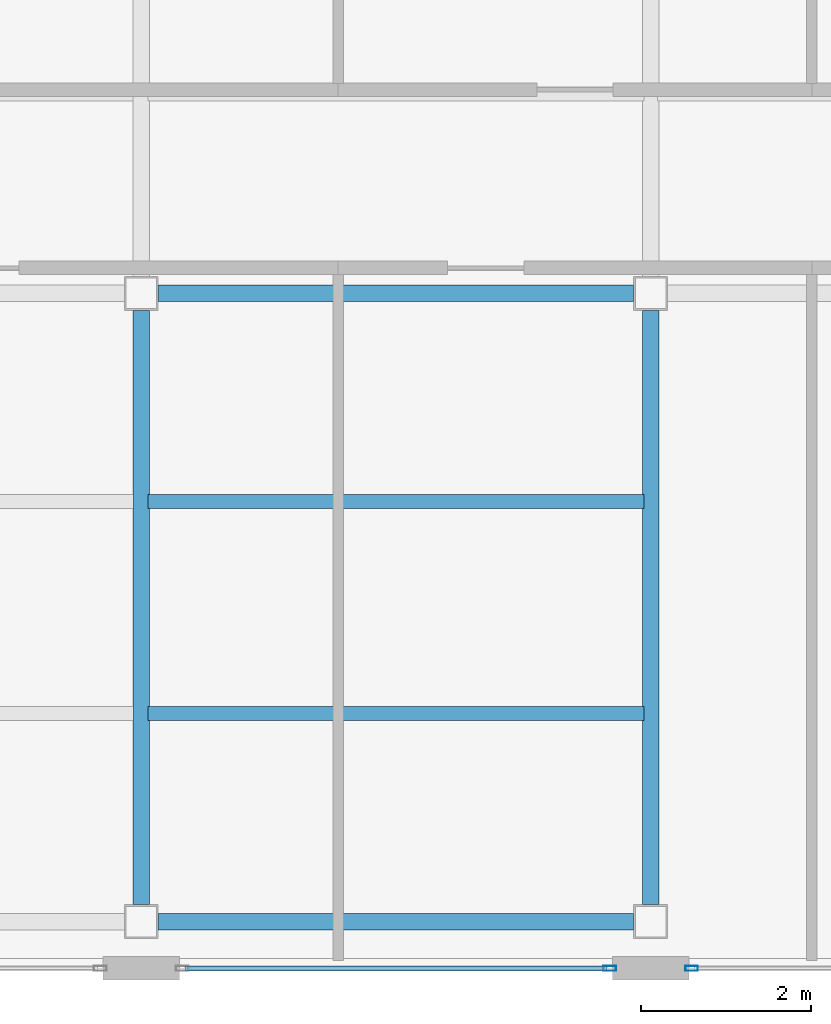
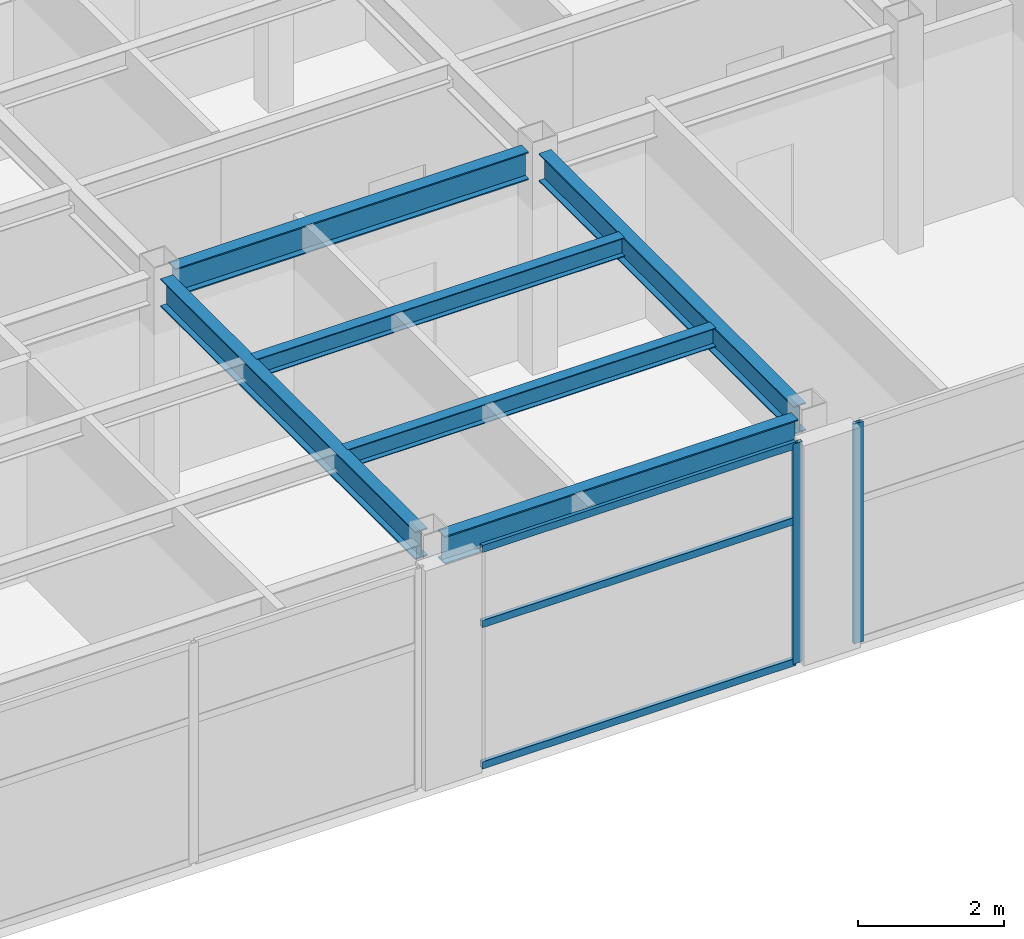
# One storey, part 5 of 15: 6 beams, 5 members, 2 elements without a shape of their own.
"""IFC4 building model written with IfcOpenShell, lengths in metres."""

from ifc_helpers import new_model, si_unit, direction, frame, origin, origin_2d, place, context, subcontext, project, spatial, hollow_rectangle, i_section, extrude, material, layer, layer_set, material_profile, profile_set, type_object, element, aggregate, save


model = new_model("IFC4")

# Units and contexts
model_context = context("Model", 3, precision=1e-05, world=origin(), true_north=direction((0.0, 1.0)))
body_context = subcontext(model_context, "Body", "Model", "MODEL_VIEW")
ifc_project = project(units=[si_unit("LENGTHUNIT", "METRE"), si_unit("AREAUNIT", "SQUARE_METRE"), si_unit("VOLUMEUNIT", "CUBIC_METRE"), si_unit("PLANEANGLEUNIT", "RADIAN"), si_unit("MASSUNIT", "GRAM", prefix="KILO")], contexts=[model_context])

# Site, building, storey
site_placement = place(None, origin())
site = spatial("IfcSite", under=ifc_project, at=site_placement, CompositionType="ELEMENT")
building_placement = place(site_placement, origin())
building = spatial("IfcBuilding", under=site, at=building_placement, Name="Mawjaban Terraces University", CompositionType="ELEMENT")
storey_placement = place(building_placement, frame((0.0, 0.0, 295.0)))
storey = spatial("IfcBuildingStorey", under=building, at=storey_placement, Name="L72", CompositionType="ELEMENT", Elevation=295.0)

# Beams
ifc_material_1 = material(Name="Steel ASTM A572 Grade 50", Category="steel")
ifc_material_profile_1 = material_profile(ifc_material_1, i_section(OverallWidth=0.194091796875, OverallDepth=0.468994140625, WebThickness=0.011474609375, FlangeThickness=0.0205078125, at=origin_2d()), Name="W460X106")
ifc_profile_set_1 = profile_set([ifc_material_profile_1], Name="Steel ASTM A572 Grade 50")
beam_type_1 = type_object("IfcBeamType", Name="Beam_B_W460X106", PredefinedType="BEAM", material=ifc_profile_set_1)
for number, where, z_axis, x_axis, name in (
    (1, (46.199951171875, 0.550048828125, 3.455078125), (1.0, 0.0, 0.0), (0.0, 1.0, 0.0), "L72 Beam BM-L72-EW-02"),
    (2, (46.199951171875, 7.949951171875, 3.455078125), (1.0, 0.0, 0.0), (0.0, 1.0, 0.0), "L72 Beam BM-L72-EW-04"),
):
    element("IfcBeam", number, at=place(storey_placement, frame(where, z_axis=z_axis, x_axis=x_axis)), inside=storey, type_object=beam_type_1, Name=name, PredefinedType="BEAM", context=body_context, shape_type="SweptSolid", body=[
        extrude(i_section(OverallWidth=0.194091796875, OverallDepth=0.468994140625, WebThickness=0.011474609375, FlangeThickness=0.0205078125, at=origin_2d()), origin(), (0.0, 0.0, 1.0), 5.60009765625),
    ])
for number, where, z_axis, x_axis, name in (
    (3, (46.0, 0.75, 3.455078125), (0.0, 1.0, 0.0), (-1.0, 0.0, 0.0), "L72 Beam BM-L72-NS-08"),
    (4, (52.0, 0.75, 3.455078125), (0.0, 1.0, 0.0), (-1.0, 0.0, 0.0), "L72 Beam BM-L72-NS-10"),
):
    element("IfcBeam", number, at=place(storey_placement, frame(where, z_axis=z_axis, x_axis=x_axis)), inside=storey, type_object=beam_type_1, Name=name, PredefinedType="BEAM", context=body_context, shape_type="SweptSolid", body=[
        extrude(i_section(OverallWidth=0.194091796875, OverallDepth=0.468994140625, WebThickness=0.011474609375, FlangeThickness=0.0205078125, at=origin_2d()), origin(), (0.0, 0.0, 1.0), 7.0),
    ])
ifc_material_profile_2 = material_profile(ifc_material_1, i_section(OverallWidth=0.1669921875, OverallDepth=0.318115234375, WebThickness=0.007568359375, FlangeThickness=0.01318359375, at=origin_2d()), Name="W310X52")
ifc_profile_set_2 = profile_set([ifc_material_profile_2], Name="Steel ASTM A572 Grade 50")
beam_type_2 = type_object("IfcBeamType", Name="Beam_J_W310X52", PredefinedType="JOIST", material=ifc_profile_set_2)
for number, where, z_axis, x_axis, name in (
    (5, (46.080078125, 3.0, 3.531005859375), (1.0, 0.0, 0.0), (0.0, 1.0, 0.0), "L72 Composite Joist JST-L72-02"),
    (6, (46.080078125, 5.5, 3.531005859375), (1.0, 0.0, 0.0), (0.0, 1.0, 0.0), "L72 Composite Joist JST-L72-04"),
):
    element("IfcBeam", number, at=place(storey_placement, frame(where, z_axis=z_axis, x_axis=x_axis)), inside=storey, type_object=beam_type_2, Name=name, PredefinedType="JOIST", context=body_context, shape_type="SweptSolid", body=[
        extrude(i_section(OverallWidth=0.1669921875, OverallDepth=0.318115234375, WebThickness=0.007568359375, FlangeThickness=0.01318359375, at=origin_2d()), origin(), (0.0, 0.0, 1.0), 5.83984375),
    ])

# Curtain wall, member
ifc_material_2 = material(Name="Anodised aluminium 6063-T6 and solar-control low-E glass", Category="aluminium")
ifc_layer = layer(ifc_material_2, 0.159912109375)
ifc_layer_set = layer_set([ifc_layer], Name="Anodised aluminium 6063-T6 and solar-control low-E glass")
curtain_wall_type = type_object("IfcCurtainWallType", Name="CWSystem_03_NorthWing", PredefinedType="NOTDEFINED", material=ifc_layer_set)
curtain_wall_1_placement = place(storey_placement, origin())
curtain_wall_1 = element("IfcCurtainWall", 7, at=curtain_wall_1_placement, inside=storey, type_object=curtain_wall_type, Name="L72 Curtain Wall CW-03 Run 1.4", PredefinedType="NOTDEFINED")
ifc_material_3 = material(Name="Anodised aluminium 6063-T6", Category="aluminium")
ifc_material_profile_3 = material_profile(ifc_material_3, hollow_rectangle(XDim=0.06005859375, YDim=0.14990234375, WallThickness=0.00390625, at=origin_2d()), Name="ALU150X60X4")
ifc_profile_set_3 = profile_set([ifc_material_profile_3], Name="Anodised aluminium 6063-T6")
member_type_1 = type_object("IfcMemberType", Name="Mullion_CW-03", PredefinedType="MULLION", material=ifc_profile_set_3)
member_1_placement = place(storey_placement, frame((51.517578125, 0.0, 0.0), z_axis=(0.0, 0.0, 1.0), x_axis=(0.0, 1.0, 0.0)))
member_1 = element("IfcMember", 8, at=member_1_placement, type_object=member_type_1, Name="CW-03 mullion 2", PredefinedType="MULLION", context=body_context, shape_type="SweptSolid", body=[
    extrude(hollow_rectangle(XDim=0.06005859375, YDim=0.14990234375, WallThickness=0.00390625, at=origin_2d()), origin(), (0.0, 0.0, 1.0), 3.68994140625),
])

curtain_wall_2_placement = place(storey_placement, origin())
curtain_wall_2 = element("IfcCurtainWall", 9, at=curtain_wall_2_placement, inside=storey, type_object=curtain_wall_type, Name="L72 Curtain Wall CW-03 Run 1.5", PredefinedType="NOTDEFINED")
member_2_placement = place(storey_placement, frame((52.482421875, 0.0, 0.0), z_axis=(0.0, 0.0, 1.0), x_axis=(0.0, 1.0, 0.0)))
member_2 = element("IfcMember", 10, at=member_2_placement, type_object=member_type_1, Name="CW-03 mullion 1", PredefinedType="MULLION", context=body_context, shape_type="SweptSolid", body=[
    extrude(hollow_rectangle(XDim=0.06005859375, YDim=0.14990234375, WallThickness=0.00390625, at=origin_2d()), origin(), (0.0, 0.0, 1.0), 3.68994140625),
])
aggregate(curtain_wall_2, [member_2])

# Member
ifc_material_profile_4 = material_profile(ifc_material_3, hollow_rectangle(XDim=0.06005859375, YDim=0.1201171875, WallThickness=0.00341796875, at=origin_2d()), Name="ALU120X60X3.5")
ifc_profile_set_4 = profile_set([ifc_material_profile_4], Name="Anodised aluminium 6063-T6")
member_type_2 = type_object("IfcMemberType", Name="Transom_CW-03", PredefinedType="NOTDEFINED", material=ifc_profile_set_4)
member_3_placement = place(storey_placement, frame((46.514892578125, 0.0, 0.030029296875), z_axis=(1.0, 0.0, 0.0), x_axis=(0.0, 1.0, 0.0)))
member_3 = element("IfcMember", 11, at=member_3_placement, type_object=member_type_2, Name="CW-03 transom 1.1", ObjectType="TRANSOM", PredefinedType="USERDEFINED", context=body_context, shape_type="SweptSolid", body=[
    extrude(hollow_rectangle(XDim=0.06005859375, YDim=0.1201171875, WallThickness=0.00341796875, at=origin_2d()), origin(), (0.0, 0.0, 1.0), 4.97021484375),
])

member_4_placement = place(storey_placement, frame((46.514892578125, 0.0, 2.39892578125), z_axis=(1.0, 0.0, 0.0), x_axis=(0.0, 1.0, 0.0)))
member_4 = element("IfcMember", 12, at=member_4_placement, type_object=member_type_2, Name="CW-03 transom 1.2", ObjectType="TRANSOM", PredefinedType="USERDEFINED", context=body_context, shape_type="SweptSolid", body=[
    extrude(hollow_rectangle(XDim=0.06005859375, YDim=0.1201171875, WallThickness=0.00341796875, at=origin_2d()), origin(), (0.0, 0.0, 1.0), 4.97021484375),
])

member_5_placement = place(storey_placement, frame((46.514892578125, 0.0, 3.659912109375), z_axis=(1.0, 0.0, 0.0), x_axis=(0.0, 1.0, 0.0)))
member_5 = element("IfcMember", 13, at=member_5_placement, type_object=member_type_2, Name="CW-03 transom 1.3", ObjectType="TRANSOM", PredefinedType="USERDEFINED", context=body_context, shape_type="SweptSolid", body=[
    extrude(hollow_rectangle(XDim=0.06005859375, YDim=0.1201171875, WallThickness=0.00341796875, at=origin_2d()), origin(), (0.0, 0.0, 1.0), 4.97021484375),
])

aggregate(curtain_wall_1, [member_1, member_3, member_4, member_5])

save(model, "model.ifc")
